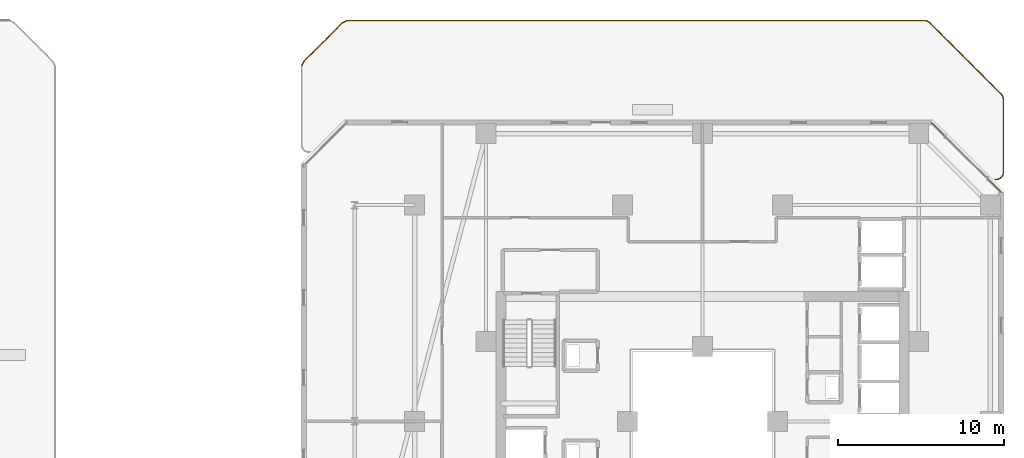
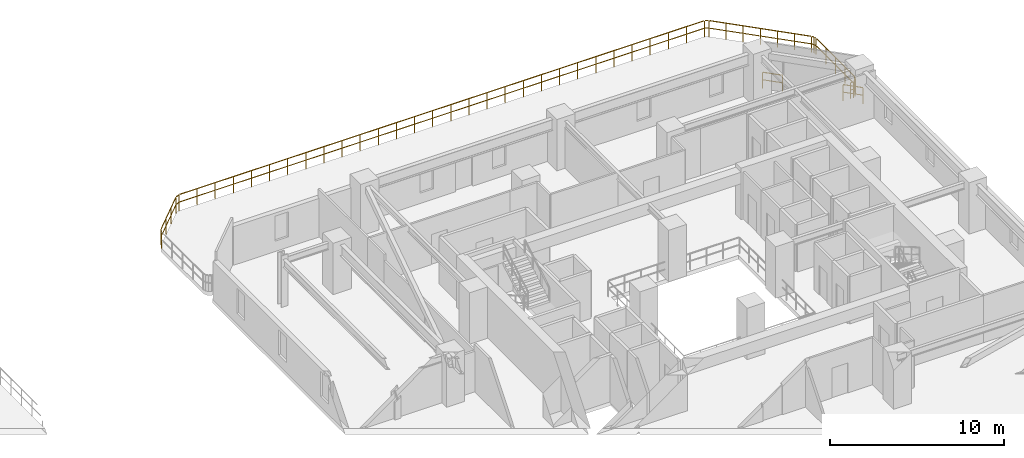
# One storey, part 33 of 33: 3 railings.
"""IFC4 building model written with IfcOpenShell, lengths in metres."""

from ifc_helpers import new_model, si_unit, direction, frame, origin, origin_2d, place, context, subcontext, project, spatial, rectangle, extrude, material, type_object, element, save


model = new_model("IFC4")

# Units and contexts
model_context = context("Model", 3, precision=1e-05, world=origin(), true_north=direction((0.0, 1.0)))
body_context = subcontext(model_context, "Body", "Model", "MODEL_VIEW")
ifc_project = project(units=[si_unit("LENGTHUNIT", "METRE"), si_unit("AREAUNIT", "SQUARE_METRE"), si_unit("VOLUMEUNIT", "CUBIC_METRE"), si_unit("PLANEANGLEUNIT", "RADIAN"), si_unit("MASSUNIT", "GRAM", prefix="KILO")], contexts=[model_context])

# Site, building, storey
site_placement = place(None, origin())
site = spatial("IfcSite", under=ifc_project, at=site_placement, CompositionType="ELEMENT")
building_placement = place(site_placement, origin())
building = spatial("IfcBuilding", under=site, at=building_placement, Name="Thornwick Lancets Civic Towers", CompositionType="ELEMENT")
storey_placement = place(building_placement, frame((0.0, 0.0, 98.10009765625)))
storey = spatial("IfcBuildingStorey", under=building, at=storey_placement, Name="L25", CompositionType="ELEMENT", Elevation=98.10009765625)

# Railings
ifc_material = material(Name="Terracotta-capped laminated glass balustrade S355", Category="masonry")
railing_type = type_object("IfcRailingType", Name="RAIL_TERR_GUARD", PredefinedType="GUARDRAIL", material=ifc_material)
railing_1_placement = place(storey_placement, frame((106.45947265625, 40.751708984375, 0.0)))
element("IfcRailing", 1, at=railing_1_placement, inside=storey, type_object=railing_type, Name="L25 Tower B Chamfer Spandrel Guard E3-1", PredefinedType="GUARDRAIL", context=body_context, shape_type="SweptSolid", body=[
    extrude(rectangle(XDim=0.048095703125, YDim=0.048095703125, at=origin_2d()), frame((0.0, 0.0, 1.1259765625), z_axis=(-0.707209805412, 0.707003741949, 0.0), x_axis=(-0.707003741949, -0.707209805412, 0.0)), (0.0, 0.0, 1.0), 1.184814453125),
    extrude(rectangle(XDim=0.0419921875, YDim=0.0419921875, at=origin_2d()), frame((-0.026611328125, 0.026611328125, 0.597900390625), z_axis=(-0.707209805412, 0.707003741949, 0.0), x_axis=(-0.707003741949, -0.707209805412, 0.0)), (0.0, 0.0, 1.0), 1.10986328125),
    extrude(rectangle(XDim=0.0419921875, YDim=0.0419921875, at=origin_2d()), origin(), (0.0, 0.0, 1.0), 1.095703125),
    extrude(rectangle(XDim=0.0419921875, YDim=0.0419921875, at=origin_2d()), frame((-0.837890625, 0.837646484375, 0.0)), (0.0, 0.0, 1.0), 1.095703125),
])
railing_2_placement = place(storey_placement, frame((103.08935546875, 44.12158203125, 0.0)))
element("IfcRailing", 2, at=railing_2_placement, inside=storey, type_object=railing_type, Name="L25 Tower B Chamfer Spandrel Guard E3-2", PredefinedType="GUARDRAIL", context=body_context, shape_type="SweptSolid", body=[
    extrude(rectangle(XDim=0.048095703125, YDim=0.048095703125, at=origin_2d()), frame((0.0, 0.0, 1.1259765625), z_axis=(-0.707003741949, 0.707209805412, 0.0), x_axis=(-0.707209805412, -0.707003741949, 0.0)), (0.0, 0.0, 1.0), 1.184814453125),
    extrude(rectangle(XDim=0.0419921875, YDim=0.0419921875, at=origin_2d()), frame((-0.026611328125, 0.026611328125, 0.597900390625), z_axis=(-0.707003741949, 0.707209805412, 0.0), x_axis=(-0.707209805412, -0.707003741949, 0.0)), (0.0, 0.0, 1.0), 1.10986328125),
    extrude(rectangle(XDim=0.0419921875, YDim=0.0419921875, at=origin_2d()), origin(), (0.0, 0.0, 1.0), 1.095703125),
    extrude(rectangle(XDim=0.0419921875, YDim=0.0419921875, at=origin_2d()), frame((-0.837646484375, 0.837890625, 0.0)), (0.0, 0.0, 1.0), 1.095703125),
])
railing_3_placement = place(storey_placement, frame((64.402099609375, 48.357666015625, 0.0)))
element("IfcRailing", 3, at=railing_3_placement, inside=storey, type_object=railing_type, Name="L25 Tower B Sky-Garden Guard 1 Part 1", PredefinedType="GUARDRAIL", context=body_context, shape_type="SweptSolid", body=[
    extrude(rectangle(XDim=0.048095703125, YDim=0.048095703125, at=origin_2d()), frame((0.0, 0.0, 1.1259765625), z_axis=(0.427463357578, 0.904032675255, 0.0), x_axis=(-0.904032675255, 0.427463357578, 0.0)), (0.0, 0.0, 1.0), 0.27197265625),
    extrude(rectangle(XDim=0.0419921875, YDim=0.0419921875, at=origin_2d()), frame((0.01611328125, 0.033935546875, 0.597900390625), z_axis=(0.427463357578, 0.904032675255, 0.0), x_axis=(-0.904032675255, 0.427463357578, 0.0)), (0.0, 0.0, 1.0), 0.228271484375),
    extrude(rectangle(XDim=0.048095703125, YDim=0.048095703125, at=origin_2d()), frame((0.15185546875, 0.29638671875, 1.1259765625), z_axis=(0.707106781187, 0.707106781187, 0.0), x_axis=(-0.707106781187, 0.707106781187, 0.0)), (0.0, 0.0, 1.0), 3.24169921875),
    extrude(rectangle(XDim=0.0419921875, YDim=0.0419921875, at=origin_2d()), frame((0.15625, 0.30078125, 0.597900390625), z_axis=(0.707106781187, 0.707106781187, 0.0), x_axis=(-0.707106781187, 0.707106781187, 0.0)), (0.0, 0.0, 1.0), 1.0263671875),
    extrude(rectangle(XDim=0.0419921875, YDim=0.0419921875, at=origin_2d()), frame((0.93505859375, 1.07958984375, 0.597900390625), z_axis=(0.707106781187, 0.707106781187, 0.0), x_axis=(-0.707106781187, 0.707106781187, 0.0)), (0.0, 0.0, 1.0), 1.0263671875),
    extrude(rectangle(XDim=0.0419921875, YDim=0.0419921875, at=origin_2d()), frame((1.7138671875, 1.8583984375, 0.597900390625), z_axis=(0.707106781187, 0.707106781187, 0.0), x_axis=(-0.707106781187, 0.707106781187, 0.0)), (0.0, 0.0, 1.0), 1.0263671875),
    extrude(rectangle(XDim=0.048095703125, YDim=0.048095703125, at=origin_2d()), frame((2.494384765625, 2.6240234375, 1.1259765625), z_axis=(0.904032675255, 0.427463357578, 0.0), x_axis=(-0.427463357578, 0.904032675255, 0.0)), (0.0, 0.0, 1.0), 0.24072265625),
    extrude(rectangle(XDim=0.0419921875, YDim=0.0419921875, at=origin_2d()), frame((2.5, 2.626708984375, 0.597900390625), z_axis=(0.904032675255, 0.427463357578, 0.0), x_axis=(-0.427463357578, 0.904032675255, 0.0)), (0.0, 0.0, 1.0), 0.228271484375),
    extrude(rectangle(XDim=0.048095703125, YDim=0.048095703125, at=origin_2d()), frame((2.771484375, 2.740234375, 1.1259765625), z_axis=(0.999999982055, -0.000189445762, 0.0), x_axis=(0.000189445762, 0.999999982055, 0.0)), (0.0, 0.0, 1.0), 34.732666015625),
    extrude(rectangle(XDim=0.0419921875, YDim=0.0419921875, at=origin_2d()), frame((2.77783203125, 2.740234375, 0.597900390625), z_axis=(0.999999982055, -0.000189445762, 0.0), x_axis=(0.000189445762, 0.999999982055, 0.0)), (0.0, 0.0, 1.0), 1.124755859375),
    extrude(rectangle(XDim=0.0419921875, YDim=0.0419921875, at=origin_2d()), frame((3.9775390625, 2.739990234375, 0.597900390625), z_axis=(0.999999982055, -0.000189445762, 0.0), x_axis=(0.000189445762, 0.999999982055, 0.0)), (0.0, 0.0, 1.0), 1.124755859375),
    extrude(rectangle(XDim=0.0419921875, YDim=0.0419921875, at=origin_2d()), frame((5.177490234375, 2.73974609375, 0.597900390625), z_axis=(0.999999982055, -0.000189445762, 0.0), x_axis=(0.000189445762, 0.999999982055, 0.0)), (0.0, 0.0, 1.0), 1.124755859375),
    extrude(rectangle(XDim=0.0419921875, YDim=0.0419921875, at=origin_2d()), frame((6.377197265625, 2.739501953125, 0.597900390625), z_axis=(0.999999982055, -0.000189445762, 0.0), x_axis=(0.000189445762, 0.999999982055, 0.0)), (0.0, 0.0, 1.0), 1.124755859375),
    extrude(rectangle(XDim=0.0419921875, YDim=0.0419921875, at=origin_2d()), frame((7.5771484375, 2.7392578125, 0.597900390625), z_axis=(0.999999982055, -0.000189445762, 0.0), x_axis=(0.000189445762, 0.999999982055, 0.0)), (0.0, 0.0, 1.0), 1.124755859375),
    extrude(rectangle(XDim=0.0419921875, YDim=0.0419921875, at=origin_2d()), frame((8.77685546875, 2.739013671875, 0.597900390625), z_axis=(0.999999982055, -0.000189445762, 0.0), x_axis=(0.000189445762, 0.999999982055, 0.0)), (0.0, 0.0, 1.0), 1.124755859375),
    extrude(rectangle(XDim=0.0419921875, YDim=0.0419921875, at=origin_2d()), frame((9.976806640625, 2.73876953125, 0.597900390625), z_axis=(0.999999982055, -0.000189445762, 0.0), x_axis=(0.000189445762, 0.999999982055, 0.0)), (0.0, 0.0, 1.0), 1.124755859375),
    extrude(rectangle(XDim=0.0419921875, YDim=0.0419921875, at=origin_2d()), frame((11.176513671875, 2.738525390625, 0.597900390625), z_axis=(0.999999982055, -0.000189445762, 0.0), x_axis=(0.000189445762, 0.999999982055, 0.0)), (0.0, 0.0, 1.0), 1.124755859375),
    extrude(rectangle(XDim=0.0419921875, YDim=0.0419921875, at=origin_2d()), frame((12.37646484375, 2.738525390625, 0.597900390625), z_axis=(0.999999982055, -0.000189445762, 0.0), x_axis=(0.000189445762, 0.999999982055, 0.0)), (0.0, 0.0, 1.0), 1.124755859375),
    extrude(rectangle(XDim=0.0419921875, YDim=0.0419921875, at=origin_2d()), frame((13.576171875, 2.73828125, 0.597900390625), z_axis=(0.999999982055, -0.000189445762, 0.0), x_axis=(0.000189445762, 0.999999982055, 0.0)), (0.0, 0.0, 1.0), 1.124755859375),
    extrude(rectangle(XDim=0.0419921875, YDim=0.0419921875, at=origin_2d()), frame((14.776123046875, 2.738037109375, 0.597900390625), z_axis=(0.999999982055, -0.000189445762, 0.0), x_axis=(0.000189445762, 0.999999982055, 0.0)), (0.0, 0.0, 1.0), 1.124755859375),
    extrude(rectangle(XDim=0.0419921875, YDim=0.0419921875, at=origin_2d()), frame((15.975830078125, 2.73779296875, 0.597900390625), z_axis=(0.999999982055, -0.000189445762, 0.0), x_axis=(0.000189445762, 0.999999982055, 0.0)), (0.0, 0.0, 1.0), 1.124755859375),
    extrude(rectangle(XDim=0.0419921875, YDim=0.0419921875, at=origin_2d()), frame((17.17578125, 2.737548828125, 0.597900390625), z_axis=(0.999999982055, -0.000189445762, 0.0), x_axis=(0.000189445762, 0.999999982055, 0.0)), (0.0, 0.0, 1.0), 1.124755859375),
    extrude(rectangle(XDim=0.0419921875, YDim=0.0419921875, at=origin_2d()), frame((18.37548828125, 2.7373046875, 0.597900390625), z_axis=(0.999999982055, -0.000189445762, 0.0), x_axis=(0.000189445762, 0.999999982055, 0.0)), (0.0, 0.0, 1.0), 1.124755859375),
    extrude(rectangle(XDim=0.0419921875, YDim=0.0419921875, at=origin_2d()), frame((19.575439453125, 2.737060546875, 0.597900390625), z_axis=(0.999999982055, -0.000189445762, 0.0), x_axis=(0.000189445762, 0.999999982055, 0.0)), (0.0, 0.0, 1.0), 1.124755859375),
    extrude(rectangle(XDim=0.0419921875, YDim=0.0419921875, at=origin_2d()), frame((20.775146484375, 2.73681640625, 0.597900390625), z_axis=(0.999999982055, -0.000189445762, 0.0), x_axis=(0.000189445762, 0.999999982055, 0.0)), (0.0, 0.0, 1.0), 1.124755859375),
    extrude(rectangle(XDim=0.0419921875, YDim=0.0419921875, at=origin_2d()), frame((21.97509765625, 2.736572265625, 0.597900390625), z_axis=(0.999999982055, -0.000189445762, 0.0), x_axis=(0.000189445762, 0.999999982055, 0.0)), (0.0, 0.0, 1.0), 1.124755859375),
    extrude(rectangle(XDim=0.0419921875, YDim=0.0419921875, at=origin_2d()), frame((23.1748046875, 2.736328125, 0.597900390625), z_axis=(0.999999982055, -0.000189445762, 0.0), x_axis=(0.000189445762, 0.999999982055, 0.0)), (0.0, 0.0, 1.0), 1.124755859375),
    extrude(rectangle(XDim=0.0419921875, YDim=0.0419921875, at=origin_2d()), frame((24.374755859375, 2.736083984375, 0.597900390625), z_axis=(0.999999982055, -0.000189445762, 0.0), x_axis=(0.000189445762, 0.999999982055, 0.0)), (0.0, 0.0, 1.0), 1.124755859375),
    extrude(rectangle(XDim=0.0419921875, YDim=0.0419921875, at=origin_2d()), frame((25.574462890625, 2.73583984375, 0.597900390625), z_axis=(0.999999982055, -0.000189445762, 0.0), x_axis=(0.000189445762, 0.999999982055, 0.0)), (0.0, 0.0, 1.0), 1.124755859375),
    extrude(rectangle(XDim=0.0419921875, YDim=0.0419921875, at=origin_2d()), frame((26.7744140625, 2.735595703125, 0.597900390625), z_axis=(0.999999982055, -0.000189445762, 0.0), x_axis=(0.000189445762, 0.999999982055, 0.0)), (0.0, 0.0, 1.0), 1.124755859375),
    extrude(rectangle(XDim=0.0419921875, YDim=0.0419921875, at=origin_2d()), frame((27.97412109375, 2.7353515625, 0.597900390625), z_axis=(0.999999982055, -0.000189445762, 0.0), x_axis=(0.000189445762, 0.999999982055, 0.0)), (0.0, 0.0, 1.0), 1.124755859375),
    extrude(rectangle(XDim=0.0419921875, YDim=0.0419921875, at=origin_2d()), frame((29.174072265625, 2.735107421875, 0.597900390625), z_axis=(0.999999982055, -0.000189445762, 0.0), x_axis=(0.000189445762, 0.999999982055, 0.0)), (0.0, 0.0, 1.0), 1.124755859375),
    extrude(rectangle(XDim=0.0419921875, YDim=0.0419921875, at=origin_2d()), frame((30.373779296875, 2.735107421875, 0.597900390625), z_axis=(0.999999982055, -0.000189445762, 0.0), x_axis=(0.000189445762, 0.999999982055, 0.0)), (0.0, 0.0, 1.0), 1.124755859375),
    extrude(rectangle(XDim=0.0419921875, YDim=0.0419921875, at=origin_2d()), frame((31.57373046875, 2.73486328125, 0.597900390625), z_axis=(0.999999982055, -0.000189445762, 0.0), x_axis=(0.000189445762, 0.999999982055, 0.0)), (0.0, 0.0, 1.0), 1.124755859375),
    extrude(rectangle(XDim=0.0419921875, YDim=0.0419921875, at=origin_2d()), frame((32.773681640625, 2.734619140625, 0.597900390625), z_axis=(0.999999982055, -0.000189445762, 0.0), x_axis=(0.000189445762, 0.999999982055, 0.0)), (0.0, 0.0, 1.0), 1.124755859375),
    extrude(rectangle(XDim=0.0419921875, YDim=0.0419921875, at=origin_2d()), frame((33.973388671875, 2.734375, 0.597900390625), z_axis=(0.999999982055, -0.000189445762, 0.0), x_axis=(0.000189445762, 0.999999982055, 0.0)), (0.0, 0.0, 1.0), 1.124755859375),
    extrude(rectangle(XDim=0.0419921875, YDim=0.0419921875, at=origin_2d()), frame((35.17333984375, 2.734130859375, 0.597900390625), z_axis=(0.999999982055, -0.000189445762, 0.0), x_axis=(0.000189445762, 0.999999982055, 0.0)), (0.0, 0.0, 1.0), 1.124755859375),
    extrude(rectangle(XDim=0.0419921875, YDim=0.0419921875, at=origin_2d()), frame((36.373046875, 2.73388671875, 0.597900390625), z_axis=(0.999999982055, -0.000189445762, 0.0), x_axis=(0.000189445762, 0.999999982055, 0.0)), (0.0, 0.0, 1.0), 1.124755859375),
    extrude(rectangle(XDim=0.048095703125, YDim=0.048095703125, at=origin_2d()), frame((37.56298828125, 2.718994140625, 1.1259765625), z_axis=(0.881938372092, -0.471364729092, 0.0), x_axis=(0.471364729092, 0.881938372092, 0.0)), (0.0, 0.0, 1.0), 0.198486328125),
    extrude(rectangle(XDim=0.0419921875, YDim=0.0419921875, at=origin_2d()), frame((37.568359375, 2.716064453125, 0.597900390625), z_axis=(0.881938372092, -0.471364729092, 0.0), x_axis=(0.471364729092, 0.881938372092, 0.0)), (0.0, 0.0, 1.0), 0.18603515625),
    extrude(rectangle(XDim=0.048095703125, YDim=0.048095703125, at=origin_2d()), frame((37.787841796875, 2.58837890625, 1.1259765625), z_axis=(0.707106781187, -0.707106781187, 0.0), x_axis=(0.707106781187, 0.707106781187, 0.0)), (0.0, 0.0, 1.0), 6.019287109375),
    extrude(rectangle(XDim=0.0419921875, YDim=0.0419921875, at=origin_2d()), frame((37.792236328125, 2.583984375, 0.597900390625), z_axis=(0.707106781187, -0.707106781187, 0.0), x_axis=(0.707106781187, 0.707106781187, 0.0)), (0.0, 0.0, 1.0), 0.938720703125),
    extrude(rectangle(XDim=0.0419921875, YDim=0.0419921875, at=origin_2d()), frame((38.5087890625, 1.867431640625, 0.597900390625), z_axis=(0.707106781187, -0.707106781187, 0.0), x_axis=(0.707106781187, 0.707106781187, 0.0)), (0.0, 0.0, 1.0), 0.938720703125),
    extrude(rectangle(XDim=0.0419921875, YDim=0.0419921875, at=origin_2d()), frame((39.2255859375, 1.150634765625, 0.597900390625), z_axis=(0.707106781187, -0.707106781187, 0.0), x_axis=(0.707106781187, 0.707106781187, 0.0)), (0.0, 0.0, 1.0), 0.938720703125),
    extrude(rectangle(XDim=0.0419921875, YDim=0.0419921875, at=origin_2d()), frame((39.9423828125, 0.433837890625, 0.597900390625), z_axis=(0.707106781187, -0.707106781187, 0.0), x_axis=(0.707106781187, 0.707106781187, 0.0)), (0.0, 0.0, 1.0), 0.938720703125),
    extrude(rectangle(XDim=0.0419921875, YDim=0.0419921875, at=origin_2d()), frame((40.6591796875, -0.282958984375, 0.597900390625), z_axis=(0.707106781187, -0.707106781187, 0.0), x_axis=(0.707106781187, 0.707106781187, 0.0)), (0.0, 0.0, 1.0), 0.938720703125),
    extrude(rectangle(XDim=0.0419921875, YDim=0.0419921875, at=origin_2d()), frame((41.3759765625, -0.999755859375, 0.597900390625), z_axis=(0.707106781187, -0.707106781187, 0.0), x_axis=(0.707106781187, 0.707106781187, 0.0)), (0.0, 0.0, 1.0), 0.938720703125),
    extrude(rectangle(XDim=0.048095703125, YDim=0.048095703125, at=origin_2d()), frame((42.08349609375, -1.716064453125, 1.1259765625), z_axis=(0.555021161978, -0.831836227726, 0.0), x_axis=(0.831836227726, 0.555021161978, 0.0)), (0.0, 0.0, 1.0), 0.113037109375),
    extrude(rectangle(XDim=0.0419921875, YDim=0.0419921875, at=origin_2d()), frame((42.0869140625, -1.72119140625, 0.597900390625), z_axis=(0.555021161978, -0.831836227726, 0.0), x_axis=(0.831836227726, 0.555021161978, 0.0)), (0.0, 0.0, 1.0), 0.1005859375),
    extrude(rectangle(XDim=0.048095703125, YDim=0.048095703125, at=origin_2d()), frame((42.169677734375, -1.86669921875, 1.1259765625), z_axis=(0.196116135138, -0.980580675691, 0.0), x_axis=(0.980580675691, 0.196116135138, 0.0)), (0.0, 0.0, 1.0), 0.113037109375),
    extrude(rectangle(XDim=0.0419921875, YDim=0.0419921875, at=origin_2d()), frame((42.1708984375, -1.872802734375, 0.597900390625), z_axis=(0.196116135138, -0.980580675691, 0.0), x_axis=(0.980580675691, 0.196116135138, 0.0)), (0.0, 0.0, 1.0), 0.1005859375),
    extrude(rectangle(XDim=0.048095703125, YDim=0.048095703125, at=origin_2d()), frame((42.197998046875, -2.039306640625, 1.1259765625), z_axis=(-0.000497677443, -0.999999876159, 0.0), x_axis=(0.999999876159, -0.000497677443, 0.0)), (0.0, 0.0, 1.0), 4.3525390625),
    extrude(rectangle(XDim=0.0419921875, YDim=0.0419921875, at=origin_2d()), frame((42.197998046875, -2.045654296875, 0.597900390625), z_axis=(-0.000497677443, -0.999999876159, 0.0), x_axis=(0.999999876159, -0.000497677443, 0.0)), (0.0, 0.0, 1.0), 1.02880859375),
    extrude(rectangle(XDim=0.0419921875, YDim=0.0419921875, at=origin_2d()), frame((42.197509765625, -3.1494140625, 0.597900390625), z_axis=(-0.000497677443, -0.999999876159, 0.0), x_axis=(0.999999876159, -0.000497677443, 0.0)), (0.0, 0.0, 1.0), 1.02880859375),
    extrude(rectangle(XDim=0.0419921875, YDim=0.0419921875, at=origin_2d()), frame((42.19677734375, -4.253173828125, 0.597900390625), z_axis=(-0.000497677443, -0.999999876159, 0.0), x_axis=(0.999999876159, -0.000497677443, 0.0)), (0.0, 0.0, 1.0), 1.02880859375),
    extrude(rectangle(XDim=0.0419921875, YDim=0.0419921875, at=origin_2d()), frame((42.1962890625, -5.35693359375, 0.597900390625), z_axis=(-0.000497677443, -0.999999876159, 0.0), x_axis=(0.999999876159, -0.000497677443, 0.0)), (0.0, 0.0, 1.0), 1.02880859375),
    extrude(rectangle(XDim=0.048095703125, YDim=0.048095703125, at=origin_2d()), frame((42.186767578125, -6.453125, 1.1259765625), z_axis=(-0.290663510508, -0.956825336025, 0.0), x_axis=(0.956825336025, -0.290663510508, 0.0)), (0.0, 0.0, 1.0), 0.113037109375),
    extrude(rectangle(XDim=0.0419921875, YDim=0.0419921875, at=origin_2d()), frame((42.184814453125, -6.458984375, 0.597900390625), z_axis=(-0.290663510508, -0.956825336025, 0.0), x_axis=(0.956825336025, -0.290663510508, 0.0)), (0.0, 0.0, 1.0), 0.1005859375),
    extrude(rectangle(XDim=0.048095703125, YDim=0.048095703125, at=origin_2d()), frame((42.125, -6.615234375, 1.1259765625), z_axis=(-0.634146109242, -0.773213238462, 0.0), x_axis=(0.773213238462, -0.634146109242, 0.0)), (0.0, 0.0, 1.0), 0.113037109375),
    extrude(rectangle(XDim=0.0419921875, YDim=0.0419921875, at=origin_2d()), frame((42.12109375, -6.6201171875, 0.597900390625), z_axis=(-0.634146109242, -0.773213238462, 0.0), x_axis=(0.773213238462, -0.634146109242, 0.0)), (0.0, 0.0, 1.0), 0.1005859375),
    extrude(rectangle(XDim=0.048095703125, YDim=0.048095703125, at=origin_2d()), frame((42.005859375, -6.741455078125, 1.1259765625), z_axis=(-0.882160586654, -0.470948722639, 0.0), x_axis=(0.470948722639, -0.882160586654, 0.0)), (0.0, 0.0, 1.0), 0.11328125),
    extrude(rectangle(XDim=0.0419921875, YDim=0.0419921875, at=origin_2d()), frame((42.00048828125, -6.744384765625, 0.597900390625), z_axis=(-0.882160586654, -0.470948722639, 0.0), x_axis=(0.470948722639, -0.882160586654, 0.0)), (0.0, 0.0, 1.0), 0.100830078125),
    extrude(rectangle(XDim=0.048095703125, YDim=0.048095703125, at=origin_2d()), frame((41.847412109375, -6.8125, 1.1259765625), z_axis=(-0.99556264392, -0.094101126617, 0.0), x_axis=(0.094101126617, -0.99556264392, 0.0)), (0.0, 0.0, 1.0), 0.147705078125),
    extrude(rectangle(XDim=0.0419921875, YDim=0.0419921875, at=origin_2d()), frame((41.841064453125, -6.81298828125, 0.597900390625), z_axis=(-0.99556264392, -0.094101126617, 0.0), x_axis=(0.094101126617, -0.99556264392, 0.0)), (0.0, 0.0, 1.0), 0.10400390625),
    extrude(rectangle(XDim=0.0419921875, YDim=0.0419921875, at=origin_2d()), origin(), (0.0, 0.0, 1.0), 1.095703125),
    extrude(rectangle(XDim=0.0419921875, YDim=0.0419921875, at=origin_2d()), frame((0.129638671875, 0.274169921875, 0.0)), (0.0, 0.0, 1.0), 1.095703125),
    extrude(rectangle(XDim=0.0419921875, YDim=0.0419921875, at=origin_2d()), frame((0.908447265625, 1.052978515625, 0.0)), (0.0, 0.0, 1.0), 1.095703125),
    extrude(rectangle(XDim=0.0419921875, YDim=0.0419921875, at=origin_2d()), frame((1.687255859375, 1.831787109375, 0.0)), (0.0, 0.0, 1.0), 1.095703125),
    extrude(rectangle(XDim=0.0419921875, YDim=0.0419921875, at=origin_2d()), frame((2.466064453125, 2.610595703125, 0.0)), (0.0, 0.0, 1.0), 1.095703125),
    extrude(rectangle(XDim=0.0419921875, YDim=0.0419921875, at=origin_2d()), frame((2.740234375, 2.740234375, 0.0)), (0.0, 0.0, 1.0), 1.095703125),
    extrude(rectangle(XDim=0.0419921875, YDim=0.0419921875, at=origin_2d()), frame((3.940185546875, 2.739990234375, 0.0)), (0.0, 0.0, 1.0), 1.095703125),
    extrude(rectangle(XDim=0.0419921875, YDim=0.0419921875, at=origin_2d()), frame((5.139892578125, 2.73974609375, 0.0)), (0.0, 0.0, 1.0), 1.095703125),
    extrude(rectangle(XDim=0.0419921875, YDim=0.0419921875, at=origin_2d()), frame((6.33984375, 2.739501953125, 0.0)), (0.0, 0.0, 1.0), 1.095703125),
    extrude(rectangle(XDim=0.0419921875, YDim=0.0419921875, at=origin_2d()), frame((7.53955078125, 2.7392578125, 0.0)), (0.0, 0.0, 1.0), 1.095703125),
    extrude(rectangle(XDim=0.0419921875, YDim=0.0419921875, at=origin_2d()), frame((8.739501953125, 2.739013671875, 0.0)), (0.0, 0.0, 1.0), 1.095703125),
    extrude(rectangle(XDim=0.0419921875, YDim=0.0419921875, at=origin_2d()), frame((9.939208984375, 2.73876953125, 0.0)), (0.0, 0.0, 1.0), 1.095703125),
    extrude(rectangle(XDim=0.0419921875, YDim=0.0419921875, at=origin_2d()), frame((11.13916015625, 2.738525390625, 0.0)), (0.0, 0.0, 1.0), 1.095703125),
    extrude(rectangle(XDim=0.0419921875, YDim=0.0419921875, at=origin_2d()), frame((12.3388671875, 2.738525390625, 0.0)), (0.0, 0.0, 1.0), 1.095703125),
    extrude(rectangle(XDim=0.0419921875, YDim=0.0419921875, at=origin_2d()), frame((13.538818359375, 2.73828125, 0.0)), (0.0, 0.0, 1.0), 1.095703125),
    extrude(rectangle(XDim=0.0419921875, YDim=0.0419921875, at=origin_2d()), frame((14.738525390625, 2.738037109375, 0.0)), (0.0, 0.0, 1.0), 1.095703125),
    extrude(rectangle(XDim=0.0419921875, YDim=0.0419921875, at=origin_2d()), frame((15.9384765625, 2.73779296875, 0.0)), (0.0, 0.0, 1.0), 1.095703125),
    extrude(rectangle(XDim=0.0419921875, YDim=0.0419921875, at=origin_2d()), frame((17.13818359375, 2.737548828125, 0.0)), (0.0, 0.0, 1.0), 1.095703125),
    extrude(rectangle(XDim=0.0419921875, YDim=0.0419921875, at=origin_2d()), frame((18.338134765625, 2.7373046875, 0.0)), (0.0, 0.0, 1.0), 1.095703125),
    extrude(rectangle(XDim=0.0419921875, YDim=0.0419921875, at=origin_2d()), frame((19.537841796875, 2.737060546875, 0.0)), (0.0, 0.0, 1.0), 1.095703125),
    extrude(rectangle(XDim=0.0419921875, YDim=0.0419921875, at=origin_2d()), frame((20.73779296875, 2.73681640625, 0.0)), (0.0, 0.0, 1.0), 1.095703125),
    extrude(rectangle(XDim=0.0419921875, YDim=0.0419921875, at=origin_2d()), frame((21.9375, 2.736572265625, 0.0)), (0.0, 0.0, 1.0), 1.095703125),
    extrude(rectangle(XDim=0.0419921875, YDim=0.0419921875, at=origin_2d()), frame((23.137451171875, 2.736328125, 0.0)), (0.0, 0.0, 1.0), 1.095703125),
    extrude(rectangle(XDim=0.0419921875, YDim=0.0419921875, at=origin_2d()), frame((24.337158203125, 2.736083984375, 0.0)), (0.0, 0.0, 1.0), 1.095703125),
    extrude(rectangle(XDim=0.0419921875, YDim=0.0419921875, at=origin_2d()), frame((25.537109375, 2.73583984375, 0.0)), (0.0, 0.0, 1.0), 1.095703125),
    extrude(rectangle(XDim=0.0419921875, YDim=0.0419921875, at=origin_2d()), frame((26.73681640625, 2.735595703125, 0.0)), (0.0, 0.0, 1.0), 1.095703125),
    extrude(rectangle(XDim=0.0419921875, YDim=0.0419921875, at=origin_2d()), frame((27.936767578125, 2.7353515625, 0.0)), (0.0, 0.0, 1.0), 1.095703125),
    extrude(rectangle(XDim=0.0419921875, YDim=0.0419921875, at=origin_2d()), frame((29.136474609375, 2.7353515625, 0.0)), (0.0, 0.0, 1.0), 1.095703125),
    extrude(rectangle(XDim=0.0419921875, YDim=0.0419921875, at=origin_2d()), frame((30.33642578125, 2.735107421875, 0.0)), (0.0, 0.0, 1.0), 1.095703125),
    extrude(rectangle(XDim=0.0419921875, YDim=0.0419921875, at=origin_2d()), frame((31.5361328125, 2.73486328125, 0.0)), (0.0, 0.0, 1.0), 1.095703125),
    extrude(rectangle(XDim=0.0419921875, YDim=0.0419921875, at=origin_2d()), frame((32.736083984375, 2.734619140625, 0.0)), (0.0, 0.0, 1.0), 1.095703125),
    extrude(rectangle(XDim=0.0419921875, YDim=0.0419921875, at=origin_2d()), frame((33.935791015625, 2.734375, 0.0)), (0.0, 0.0, 1.0), 1.095703125),
    extrude(rectangle(XDim=0.0419921875, YDim=0.0419921875, at=origin_2d()), frame((35.1357421875, 2.734130859375, 0.0)), (0.0, 0.0, 1.0), 1.095703125),
    extrude(rectangle(XDim=0.0419921875, YDim=0.0419921875, at=origin_2d()), frame((36.33544921875, 2.73388671875, 0.0)), (0.0, 0.0, 1.0), 1.095703125),
    extrude(rectangle(XDim=0.0419921875, YDim=0.0419921875, at=origin_2d()), frame((37.535400390625, 2.733642578125, 0.0)), (0.0, 0.0, 1.0), 1.095703125),
    extrude(rectangle(XDim=0.0419921875, YDim=0.0419921875, at=origin_2d()), frame((37.765625, 2.610595703125, 0.0)), (0.0, 0.0, 1.0), 1.095703125),
    extrude(rectangle(XDim=0.0419921875, YDim=0.0419921875, at=origin_2d()), frame((38.482421875, 1.893798828125, 0.0)), (0.0, 0.0, 1.0), 1.095703125),
    extrude(rectangle(XDim=0.0419921875, YDim=0.0419921875, at=origin_2d()), frame((39.19921875, 1.177001953125, 0.0)), (0.0, 0.0, 1.0), 1.095703125),
    extrude(rectangle(XDim=0.0419921875, YDim=0.0419921875, at=origin_2d()), frame((39.916015625, 0.46044921875, 0.0)), (0.0, 0.0, 1.0), 1.095703125),
    extrude(rectangle(XDim=0.0419921875, YDim=0.0419921875, at=origin_2d()), frame((40.632568359375, -0.25634765625, 0.0)), (0.0, 0.0, 1.0), 1.095703125),
    extrude(rectangle(XDim=0.0419921875, YDim=0.0419921875, at=origin_2d()), frame((41.349365234375, -0.97314453125, 0.0)), (0.0, 0.0, 1.0), 1.095703125),
    extrude(rectangle(XDim=0.0419921875, YDim=0.0419921875, at=origin_2d()), frame((42.066162109375, -1.68994140625, 0.0)), (0.0, 0.0, 1.0), 1.095703125),
    extrude(rectangle(XDim=0.0419921875, YDim=0.0419921875, at=origin_2d()), frame((42.16357421875, -1.8359375, 0.0)), (0.0, 0.0, 1.0), 1.095703125),
    extrude(rectangle(XDim=0.0419921875, YDim=0.0419921875, at=origin_2d()), frame((42.197998046875, -2.008056640625, 0.0)), (0.0, 0.0, 1.0), 1.095703125),
    extrude(rectangle(XDim=0.0419921875, YDim=0.0419921875, at=origin_2d()), frame((42.197509765625, -3.11181640625, 0.0)), (0.0, 0.0, 1.0), 1.095703125),
    extrude(rectangle(XDim=0.0419921875, YDim=0.0419921875, at=origin_2d()), frame((42.19677734375, -4.215576171875, 0.0)), (0.0, 0.0, 1.0), 1.095703125),
    extrude(rectangle(XDim=0.0419921875, YDim=0.0419921875, at=origin_2d()), frame((42.1962890625, -5.3193359375, 0.0)), (0.0, 0.0, 1.0), 1.095703125),
    extrude(rectangle(XDim=0.0419921875, YDim=0.0419921875, at=origin_2d()), frame((42.19580078125, -6.423095703125, 0.0)), (0.0, 0.0, 1.0), 1.095703125),
    extrude(rectangle(XDim=0.0419921875, YDim=0.0419921875, at=origin_2d()), frame((42.144775390625, -6.591064453125, 0.0)), (0.0, 0.0, 1.0), 1.095703125),
    extrude(rectangle(XDim=0.0419921875, YDim=0.0419921875, at=origin_2d()), frame((42.033447265625, -6.726806640625, 0.0)), (0.0, 0.0, 1.0), 1.095703125),
    extrude(rectangle(XDim=0.0419921875, YDim=0.0419921875, at=origin_2d()), frame((41.87841796875, -6.8095703125, 0.0)), (0.0, 0.0, 1.0), 1.095703125),
    extrude(rectangle(XDim=0.0419921875, YDim=0.0419921875, at=origin_2d()), frame((41.7001953125, -6.826416015625, 0.0)), (0.0, 0.0, 1.0), 1.095703125),
])

save(model, "model.ifc")
